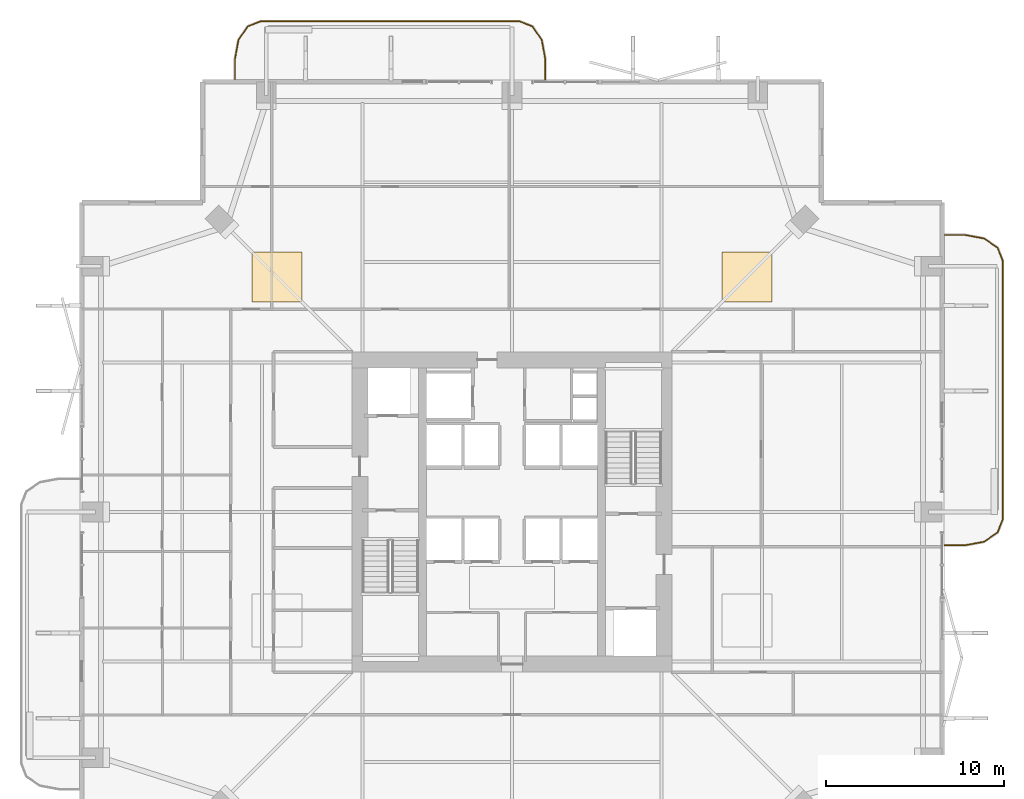
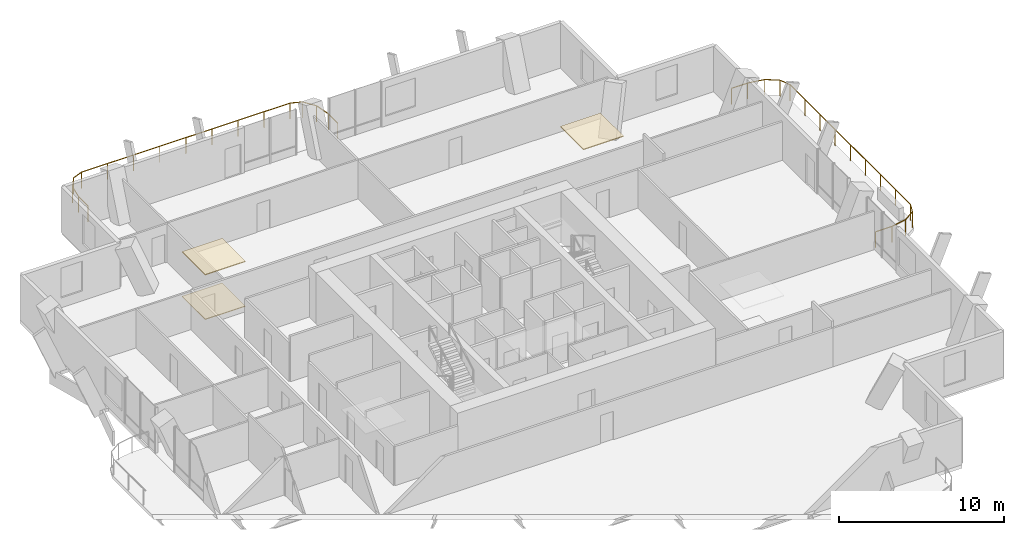
# One storey, part 24 of 24: 3 coverings, 2 railings.
"""IFC4 building model written with IfcOpenShell, lengths in metres."""

from ifc_helpers import new_model, si_unit, direction, frame, origin, origin_2d, place, context, subcontext, project, spatial, polyline, rectangle, outline, extrude, material, layer, layer_set, type_object, element, save


model = new_model("IFC4")

# Units and contexts
model_context = context("Model", 3, precision=1e-05, world=origin(), true_north=direction((0.0, 1.0)))
body_context = subcontext(model_context, "Body", "Model", "MODEL_VIEW")
ifc_project = project(units=[si_unit("LENGTHUNIT", "METRE"), si_unit("AREAUNIT", "SQUARE_METRE"), si_unit("VOLUMEUNIT", "CUBIC_METRE"), si_unit("PLANEANGLEUNIT", "RADIAN"), si_unit("MASSUNIT", "GRAM", prefix="KILO")], contexts=[model_context])

# Site, building, storey
site_placement = place(None, origin())
site = spatial("IfcSite", under=ifc_project, at=site_placement, CompositionType="ELEMENT")
building_placement = place(site_placement, origin())
building = spatial("IfcBuilding", under=site, at=building_placement, Name="Belovzor Exchange Tower", CompositionType="ELEMENT")
storey_placement = place(building_placement, frame((0.0, 0.0, 190.800048828125)))
storey = spatial("IfcBuildingStorey", under=building, at=storey_placement, Name="L47", CompositionType="ELEMENT", Elevation=190.800048828125)

# Railings
ifc_material_1 = material(Name="Stainless Steel and Laminated Safety Glass", Category="steel")
railing_type = type_object("IfcRailingType", Name="Laminated Glass & Stainless Steel Balcony Balustrade 1200", PredefinedType="BALUSTRADE", material=ifc_material_1)
railing_1_placement = place(storey_placement, frame((30.669921875, 53.110107421875, 0.0)))
element("IfcRailing", 1, at=railing_1_placement, inside=storey, type_object=railing_type, Name="GR-1 Balcony Balustrade L47 North", PredefinedType="BALUSTRADE", context=body_context, shape_type="SweptSolid", body=[
    extrude(rectangle(XDim=0.048095703125, YDim=0.048095703125, at=origin_2d()), frame((0.0, 0.0, 1.17578125), z_axis=(0.0, 1.0, 0.0), x_axis=(-1.0, 0.0, 0.0)), (0.0, 0.0, 1.0), 1.1328125),
    extrude(rectangle(XDim=0.048095703125, YDim=0.048095703125, at=origin_2d()), frame((0.0, 1.1328125, 1.17578125), z_axis=(-0.180083182347, 0.983651385113, 0.0), x_axis=(-0.983651385113, -0.180083182347, 0.0)), (0.0, 0.0, 1.0), 1.093994140625),
    extrude(rectangle(XDim=0.048095703125, YDim=0.048095703125, at=origin_2d()), frame((-0.197021484375, 2.208984375, 1.17578125), z_axis=(-0.562768145367, 0.826614792125, 0.0), x_axis=(-0.826614792125, -0.562768145367, 0.0)), (0.0, 0.0, 1.0), 0.9326171875),
    extrude(rectangle(XDim=0.048095703125, YDim=0.048095703125, at=origin_2d()), frame((-0.721923828125, 2.97998046875, 1.17578125), z_axis=(-0.930766990125, 0.365612923861, 0.0), x_axis=(-0.365612923861, -0.930766990125, 0.0)), (0.0, 0.0, 1.0), 0.765869140625),
    extrude(rectangle(XDim=0.048095703125, YDim=0.048095703125, at=origin_2d()), frame((-1.434814453125, 3.260009765625, 1.17578125), z_axis=(-1.0, 0.0, 0.0), x_axis=(0.0, -1.0, 0.0)), (0.0, 0.0, 1.0), 14.570068359375),
    extrude(rectangle(XDim=0.048095703125, YDim=0.048095703125, at=origin_2d()), frame((-16.0048828125, 3.260009765625, 1.17578125), z_axis=(-0.930809580156, -0.365504480807, 0.0), x_axis=(0.365504480807, -0.930809580156, 0.0)), (0.0, 0.0, 1.0), 0.76611328125),
    extrude(rectangle(XDim=0.048095703125, YDim=0.048095703125, at=origin_2d()), frame((-16.718017578125, 2.97998046875, 1.17578125), z_axis=(-0.562768145367, -0.826614792125, 0.0), x_axis=(0.826614792125, -0.562768145367, 0.0)), (0.0, 0.0, 1.0), 0.9326171875),
    extrude(rectangle(XDim=0.048095703125, YDim=0.048095703125, at=origin_2d()), frame((-17.242919921875, 2.208984375, 1.17578125), z_axis=(-0.180083182347, -0.983651385113, 0.0), x_axis=(0.983651385113, -0.180083182347, 0.0)), (0.0, 0.0, 1.0), 1.093994140625),
    extrude(rectangle(XDim=0.048095703125, YDim=0.048095703125, at=origin_2d()), frame((-17.43994140625, 1.1328125, 1.17578125), z_axis=(0.0, -1.0, 0.0), x_axis=(1.0, 0.0, 0.0)), (0.0, 0.0, 1.0), 1.1328125),
    extrude(rectangle(XDim=0.0419921875, YDim=0.0419921875, at=origin_2d()), origin(), (0.0, 0.0, 1.0), 1.15185546875),
    extrude(rectangle(XDim=0.0419921875, YDim=0.0419921875, at=origin_2d()), frame((0.0, 1.1328125, 0.0)), (0.0, 0.0, 1.0), 1.15185546875),
    extrude(rectangle(XDim=0.0419921875, YDim=0.0419921875, at=origin_2d()), frame((-0.197021484375, 2.208984375, 0.0)), (0.0, 0.0, 1.0), 1.15185546875),
    extrude(rectangle(XDim=0.0419921875, YDim=0.0419921875, at=origin_2d()), frame((-0.721923828125, 2.97998046875, 0.0)), (0.0, 0.0, 1.0), 1.15185546875),
    extrude(rectangle(XDim=0.0419921875, YDim=0.0419921875, at=origin_2d()), frame((-1.434814453125, 3.260009765625, 0.0)), (0.0, 0.0, 1.0), 1.15185546875),
    extrude(rectangle(XDim=0.0419921875, YDim=0.0419921875, at=origin_2d()), frame((-3.256103515625, 3.260009765625, 0.0)), (0.0, 0.0, 1.0), 1.15185546875),
    extrude(rectangle(XDim=0.0419921875, YDim=0.0419921875, at=origin_2d()), frame((-5.077392578125, 3.260009765625, 0.0)), (0.0, 0.0, 1.0), 1.15185546875),
    extrude(rectangle(XDim=0.0419921875, YDim=0.0419921875, at=origin_2d()), frame((-6.898681640625, 3.260009765625, 0.0)), (0.0, 0.0, 1.0), 1.15185546875),
    extrude(rectangle(XDim=0.0419921875, YDim=0.0419921875, at=origin_2d()), frame((-8.7197265625, 3.260009765625, 0.0)), (0.0, 0.0, 1.0), 1.15185546875),
    extrude(rectangle(XDim=0.0419921875, YDim=0.0419921875, at=origin_2d()), frame((-10.541015625, 3.260009765625, 0.0)), (0.0, 0.0, 1.0), 1.15185546875),
    extrude(rectangle(XDim=0.0419921875, YDim=0.0419921875, at=origin_2d()), frame((-12.3623046875, 3.260009765625, 0.0)), (0.0, 0.0, 1.0), 1.15185546875),
    extrude(rectangle(XDim=0.0419921875, YDim=0.0419921875, at=origin_2d()), frame((-14.18359375, 3.260009765625, 0.0)), (0.0, 0.0, 1.0), 1.15185546875),
    extrude(rectangle(XDim=0.0419921875, YDim=0.0419921875, at=origin_2d()), frame((-16.0048828125, 3.260009765625, 0.0)), (0.0, 0.0, 1.0), 1.15185546875),
    extrude(rectangle(XDim=0.0419921875, YDim=0.0419921875, at=origin_2d()), frame((-16.718017578125, 2.97998046875, 0.0)), (0.0, 0.0, 1.0), 1.15185546875),
    extrude(rectangle(XDim=0.0419921875, YDim=0.0419921875, at=origin_2d()), frame((-17.242919921875, 2.208984375, 0.0)), (0.0, 0.0, 1.0), 1.15185546875),
    extrude(rectangle(XDim=0.0419921875, YDim=0.0419921875, at=origin_2d()), frame((-17.43994140625, 1.1328125, 0.0)), (0.0, 0.0, 1.0), 1.15185546875),
    extrude(rectangle(XDim=0.0419921875, YDim=0.0419921875, at=origin_2d()), frame((-17.43994140625, 0.0, 0.0)), (0.0, 0.0, 1.0), 1.15185546875),
])
railing_2_placement = place(storey_placement, frame((53.110107421875, 26.929931640625, 0.0)))
element("IfcRailing", 2, at=railing_2_placement, inside=storey, type_object=railing_type, Name="GR-1 Balcony Balustrade L47 East", PredefinedType="BALUSTRADE", context=body_context, shape_type="SweptSolid", body=[
    extrude(rectangle(XDim=0.048095703125, YDim=0.048095703125, at=origin_2d()), frame((0.0, 0.0, 1.17578125), z_axis=(1.0, 0.0, 0.0), x_axis=(0.0, 1.0, 0.0)), (0.0, 0.0, 1.0), 1.1328125),
    extrude(rectangle(XDim=0.048095703125, YDim=0.048095703125, at=origin_2d()), frame((1.1328125, 0.0, 1.17578125), z_axis=(0.983651385113, 0.180083182347, 0.0), x_axis=(-0.180083182347, 0.983651385113, 0.0)), (0.0, 0.0, 1.0), 1.093994140625),
    extrude(rectangle(XDim=0.048095703125, YDim=0.048095703125, at=origin_2d()), frame((2.208984375, 0.197021484375, 1.17578125), z_axis=(0.826493025367, 0.56294695933, 0.0), x_axis=(-0.56294695933, 0.826493025367, 0.0)), (0.0, 0.0, 1.0), 0.932861328125),
    extrude(rectangle(XDim=0.048095703125, YDim=0.048095703125, at=origin_2d()), frame((2.97998046875, 0.72216796875, 1.17578125), z_axis=(0.365612923861, 0.930766990125, 0.0), x_axis=(-0.930766990125, 0.365612923861, 0.0)), (0.0, 0.0, 1.0), 0.765869140625),
    extrude(rectangle(XDim=0.048095703125, YDim=0.048095703125, at=origin_2d()), frame((3.260009765625, 1.43505859375, 1.17578125), z_axis=(0.0, 1.0, 0.0), x_axis=(-1.0, 0.0, 0.0)), (0.0, 0.0, 1.0), 14.570068359375),
    extrude(rectangle(XDim=0.048095703125, YDim=0.048095703125, at=origin_2d()), frame((3.260009765625, 16.005126953125, 1.17578125), z_axis=(-0.365612923861, 0.930766990125, 0.0), x_axis=(-0.930766990125, -0.365612923861, 0.0)), (0.0, 0.0, 1.0), 0.765869140625),
    extrude(rectangle(XDim=0.048095703125, YDim=0.048095703125, at=origin_2d()), frame((2.97998046875, 16.718017578125, 1.17578125), z_axis=(-0.826493025367, 0.56294695933, 0.0), x_axis=(-0.56294695933, -0.826493025367, 0.0)), (0.0, 0.0, 1.0), 0.932861328125),
    extrude(rectangle(XDim=0.048095703125, YDim=0.048095703125, at=origin_2d()), frame((2.208984375, 17.2431640625, 1.17578125), z_axis=(-0.983651385113, 0.180083182347, 0.0), x_axis=(-0.180083182347, -0.983651385113, 0.0)), (0.0, 0.0, 1.0), 1.093994140625),
    extrude(rectangle(XDim=0.048095703125, YDim=0.048095703125, at=origin_2d()), frame((1.1328125, 17.440185546875, 1.17578125), z_axis=(-1.0, 0.0, 0.0), x_axis=(0.0, -1.0, 0.0)), (0.0, 0.0, 1.0), 1.1328125),
    extrude(rectangle(XDim=0.0419921875, YDim=0.0419921875, at=origin_2d()), origin(), (0.0, 0.0, 1.0), 1.15185546875),
    extrude(rectangle(XDim=0.0419921875, YDim=0.0419921875, at=origin_2d()), frame((1.1328125, 0.0, 0.0)), (0.0, 0.0, 1.0), 1.15185546875),
    extrude(rectangle(XDim=0.0419921875, YDim=0.0419921875, at=origin_2d()), frame((2.208984375, 0.197021484375, 0.0)), (0.0, 0.0, 1.0), 1.15185546875),
    extrude(rectangle(XDim=0.0419921875, YDim=0.0419921875, at=origin_2d()), frame((2.97998046875, 0.72216796875, 0.0)), (0.0, 0.0, 1.0), 1.15185546875),
    extrude(rectangle(XDim=0.0419921875, YDim=0.0419921875, at=origin_2d()), frame((3.260009765625, 1.43505859375, 0.0)), (0.0, 0.0, 1.0), 1.15185546875),
    extrude(rectangle(XDim=0.0419921875, YDim=0.0419921875, at=origin_2d()), frame((3.260009765625, 3.25634765625, 0.0)), (0.0, 0.0, 1.0), 1.15185546875),
    extrude(rectangle(XDim=0.0419921875, YDim=0.0419921875, at=origin_2d()), frame((3.260009765625, 5.07763671875, 0.0)), (0.0, 0.0, 1.0), 1.15185546875),
    extrude(rectangle(XDim=0.0419921875, YDim=0.0419921875, at=origin_2d()), frame((3.260009765625, 6.89892578125, 0.0)), (0.0, 0.0, 1.0), 1.15185546875),
    extrude(rectangle(XDim=0.0419921875, YDim=0.0419921875, at=origin_2d()), frame((3.260009765625, 8.72021484375, 0.0)), (0.0, 0.0, 1.0), 1.15185546875),
    extrude(rectangle(XDim=0.0419921875, YDim=0.0419921875, at=origin_2d()), frame((3.260009765625, 10.541259765625, 0.0)), (0.0, 0.0, 1.0), 1.15185546875),
    extrude(rectangle(XDim=0.0419921875, YDim=0.0419921875, at=origin_2d()), frame((3.260009765625, 12.362548828125, 0.0)), (0.0, 0.0, 1.0), 1.15185546875),
    extrude(rectangle(XDim=0.0419921875, YDim=0.0419921875, at=origin_2d()), frame((3.260009765625, 14.183837890625, 0.0)), (0.0, 0.0, 1.0), 1.15185546875),
    extrude(rectangle(XDim=0.0419921875, YDim=0.0419921875, at=origin_2d()), frame((3.260009765625, 16.005126953125, 0.0)), (0.0, 0.0, 1.0), 1.15185546875),
    extrude(rectangle(XDim=0.0419921875, YDim=0.0419921875, at=origin_2d()), frame((2.97998046875, 16.718017578125, 0.0)), (0.0, 0.0, 1.0), 1.15185546875),
    extrude(rectangle(XDim=0.0419921875, YDim=0.0419921875, at=origin_2d()), frame((2.208984375, 17.2431640625, 0.0)), (0.0, 0.0, 1.0), 1.15185546875),
    extrude(rectangle(XDim=0.0419921875, YDim=0.0419921875, at=origin_2d()), frame((1.1328125, 17.440185546875, 0.0)), (0.0, 0.0, 1.0), 1.15185546875),
    extrude(rectangle(XDim=0.0419921875, YDim=0.0419921875, at=origin_2d()), frame((0.0, 17.440185546875, 0.0)), (0.0, 0.0, 1.0), 1.15185546875),
])

# Coverings
ifc_material_2 = material(Name="Perforated Powder-Coated Aluminium", Category="aluminium")
ifc_layer_1 = layer(ifc_material_2, 0.06005859375)
ifc_layer_set_1 = layer_set([ifc_layer_1], Name="Perforated Powder-Coated Aluminium")
covering_type_1 = type_object("IfcCoveringType", Name="Perforated Acoustic Metal Tile Suspended Ceiling 60", PredefinedType="CEILING", material=ifc_layer_set_1)
covering_1_placement = place(storey_placement, frame((0.0, 0.0, 3.2900390625)))
element("IfcCovering", 3, at=covering_1_placement, inside=storey, type_object=covering_type_1, Name="CLG-AC60 Suspended Ceiling CLG-L47-Z1", PredefinedType="CEILING", context=body_context, shape_type="SweptSolid", body=[
    extrude(outline(polyline([(40.60009765625, 40.60009765625), (43.39990234375, 40.60009765625), (43.39990234375, 43.39990234375), (40.60009765625, 43.39990234375), (40.60009765625, 40.60009765625)])), origin(), (0.0, 0.0, 1.0), 0.059814453125),
])
covering_2_placement = place(storey_placement, frame((0.0, 0.0, 3.2900390625)))
element("IfcCovering", 4, at=covering_2_placement, inside=storey, type_object=covering_type_1, Name="CLG-AC60 Suspended Ceiling CLG-L47-Z2", PredefinedType="CEILING", context=body_context, shape_type="SweptSolid", body=[
    extrude(outline(polyline([(14.199951171875, 40.60009765625), (17.0, 40.60009765625), (17.0, 43.39990234375), (14.199951171875, 43.39990234375), (14.199951171875, 40.60009765625)])), origin(), (0.0, 0.0, 1.0), 0.059814453125),
])
ifc_material_3 = material(Name="Polished Natural Granite Tile", Category="masonry")
ifc_layer_2 = layer(ifc_material_3, 0.050048828125)
ifc_layer_set_2 = layer_set([ifc_layer_2], Name="Polished Natural Granite Tile")
covering_type_2 = type_object("IfcCoveringType", Name="Polished Karelian Granite & Raised Access Floor Finish 50", PredefinedType="FLOORING", material=ifc_layer_set_2)
covering_3_placement = place(storey_placement, origin())
element("IfcCovering", 5, at=covering_3_placement, inside=storey, type_object=covering_type_2, Name="FLR-GR50 Floor Finish FLR-L47-Z2", PredefinedType="FLOORING", context=body_context, shape_type="SweptSolid", body=[
    extrude(outline(polyline([(14.199951171875, 40.60009765625), (17.0, 40.60009765625), (17.0, 43.39990234375), (14.199951171875, 43.39990234375), (14.199951171875, 40.60009765625)])), origin(), (0.0, 0.0, 1.0), 0.050048828125),
])

save(model, "model.ifc")
